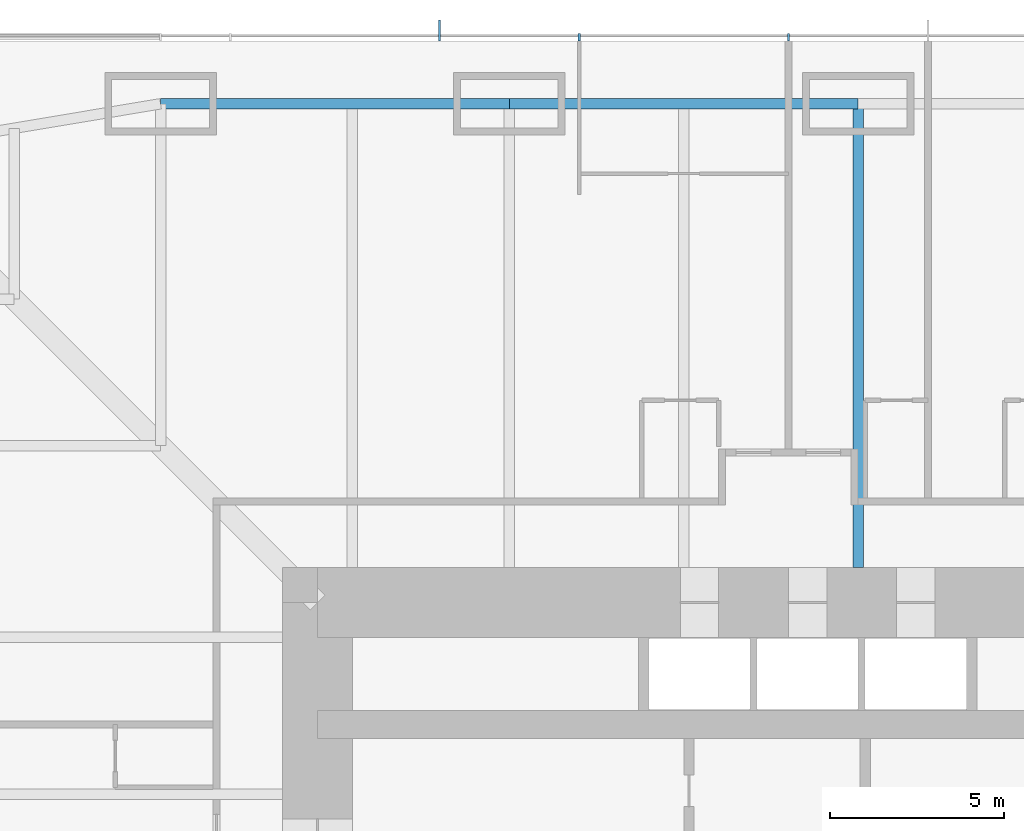
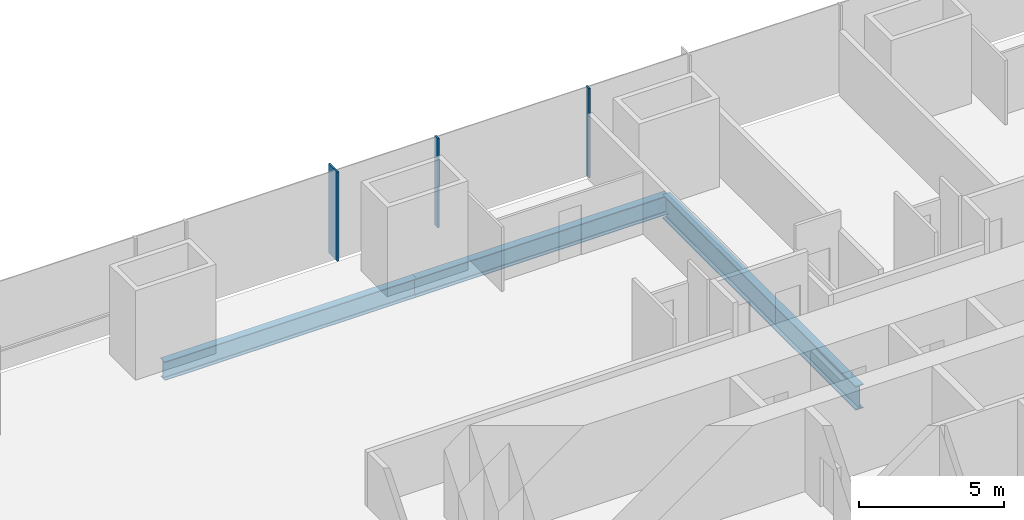
# One storey, part 7 of 17: 3 beams, 3 members, 1 element without a shape of its own.
"""IFC4 building model written with IfcOpenShell, lengths in metres."""

from ifc_helpers import new_model, si_unit, direction, frame, origin, origin_2d, place, context, subcontext, project, spatial, rectangle, i_section, extrude, material, material_profile, profile_set, type_object, element, aggregate, save


model = new_model("IFC4")

# Units and contexts
model_context = context("Model", 3, precision=1e-05, world=origin(), true_north=direction((0.0, 1.0)))
body_context = subcontext(model_context, "Body", "Model", "MODEL_VIEW")
ifc_project = project(units=[si_unit("LENGTHUNIT", "METRE"), si_unit("AREAUNIT", "SQUARE_METRE"), si_unit("VOLUMEUNIT", "CUBIC_METRE"), si_unit("PLANEANGLEUNIT", "RADIAN"), si_unit("MASSUNIT", "GRAM", prefix="KILO")], contexts=[model_context])

# Site, building, storey
site_placement = place(None, origin())
site = spatial("IfcSite", under=ifc_project, at=site_placement, CompositionType="ELEMENT")
building_placement = place(site_placement, origin())
building = spatial("IfcBuilding", under=site, at=building_placement, Name="Khuree Lantern Residences", CompositionType="ELEMENT")
storey_placement = place(building_placement, frame((0.0, 0.0, 47.25)))
storey = spatial("IfcBuildingStorey", under=building, at=storey_placement, Name="L11", CompositionType="ELEMENT", Elevation=47.25)

# Beams
ifc_material_1 = material(Name="Steel S355", Category="steel")
ifc_material_profile_1 = material_profile(ifc_material_1, i_section(OverallWidth=0.300048828125, OverallDepth=0.7900390625, WebThickness=0.014892578125, FlangeThickness=0.028076171875, FilletRadius=0.030029296875, at=origin_2d()), Name="HE 800 A")
ifc_profile_set_1 = profile_set([ifc_material_profile_1], Name="Steel S355")
beam_type_1 = type_object("IfcBeamType", Name="E-12 SPANDREL BEAM HE 800 A", PredefinedType="SPANDREL", material=ifc_profile_set_1)
for number, where, z_axis, x_axis, name in (
    (1, (-20.0, 29.800048828125, -0.64501953125), (1.0, 0.0, 0.0), (0.0, 1.0, 0.0), "Spandrel beam N1"),
    (2, (-10.0, 29.800048828125, -0.64501953125), (1.0, 0.0, 0.0), (0.0, 1.0, 0.0), "Spandrel beam N2"),
):
    element("IfcBeam", number, at=place(storey_placement, frame(where, z_axis=z_axis, x_axis=x_axis)), inside=storey, type_object=beam_type_1, Name=name, PredefinedType="SPANDREL", context=body_context, shape_type="SweptSolid", body=[
        extrude(i_section(OverallWidth=0.300048828125, OverallDepth=0.7900390625, WebThickness=0.014892578125, FlangeThickness=0.028076171875, FilletRadius=0.030029296875, at=origin_2d()), origin(), (0.0, 0.0, 1.0), 10.0),
    ])

# Curtain wall, member
ifc_material_2 = material(Name="Bronze anodised aluminium", Category="aluminium")
curtain_wall_type = type_object("IfcCurtainWallType", Name="CW-T1 TOWER FACE CURTAIN WALL", PredefinedType="USERDEFINED", material=ifc_material_2)
curtain_wall_placement = place(storey_placement, origin())
curtain_wall = element("IfcCurtainWall", 3, at=curtain_wall_placement, inside=storey, type_object=curtain_wall_type, Name="L11 NORTH FACE CURTAIN WALL", ObjectType="Stick-built curtain wall", PredefinedType="USERDEFINED")
ifc_material_profile_2 = material_profile(ifc_material_2, rectangle(XDim=0.06494140625, YDim=0.60009765625, at=origin_2d()), Name="F1 65X600")
ifc_profile_set_2 = profile_set([ifc_material_profile_2], Name="Bronze anodised aluminium")
member_type_1 = type_object("IfcMemberType", Name="F1 BRONZE FIN MULLION TOWER 65X600", PredefinedType="MULLION", material=ifc_profile_set_2)
member_1_placement = place(storey_placement, frame((-12.0, 31.89990234375, 0.0), z_axis=(0.0, 0.0, 1.0), x_axis=(-1.0, 0.0, 0.0)))
member_1 = element("IfcMember", 4, at=member_1_placement, type_object=member_type_1, Name="L11 NORTH FACE FIN MULLION 26", PredefinedType="MULLION", context=body_context, shape_type="SweptSolid", body=[
    extrude(rectangle(XDim=0.06494140625, YDim=0.60009765625, at=origin_2d()), origin(), (0.0, 0.0, 1.0), 3.75),
])

# Beam
ifc_material_profile_3 = material_profile(ifc_material_1, i_section(OverallWidth=0.302001953125, OverallDepth=1.008056640625, WebThickness=0.02099609375, FlangeThickness=0.0400390625, FilletRadius=0.030029296875, at=origin_2d()), Name="HE 1000 M")
ifc_profile_set_3 = profile_set([ifc_material_profile_3], Name="Steel S355")
beam_type_2 = type_object("IfcBeamType", Name="G-12 GIRDER HE 1000 M", PredefinedType="BEAM", material=ifc_profile_set_3)
beam_placement = place(storey_placement, frame((0.0, 29.800048828125, -0.75390625), z_axis=(0.0, -1.0, 0.0), x_axis=(1.0, 0.0, 0.0)))
element("IfcBeam", 5, at=beam_placement, inside=storey, type_object=beam_type_2, Name="Girder N3", PredefinedType="BEAM", context=body_context, shape_type="SweptSolid", body=[
    extrude(i_section(OverallWidth=0.302001953125, OverallDepth=1.008056640625, WebThickness=0.02099609375, FlangeThickness=0.0400390625, FilletRadius=0.030029296875, at=origin_2d()), origin(), (0.0, 0.0, 1.0), 13.300048828125),
])

# Member
ifc_material_profile_4 = material_profile(ifc_material_2, rectangle(XDim=0.06494140625, YDim=0.219970703125, at=origin_2d()), Name="M1 65X220")
ifc_profile_set_4 = profile_set([ifc_material_profile_4], Name="Bronze anodised aluminium")
member_type_2 = type_object("IfcMemberType", Name="M1 BRONZE MULLION TOWER 65X220", PredefinedType="MULLION", material=ifc_profile_set_4)
member_2_placement = place(storey_placement, frame((-2.0, 31.7099609375, 0.0), z_axis=(0.0, 0.0, 1.0), x_axis=(-1.0, 0.0, 0.0)))
member_2 = element("IfcMember", 6, at=member_2_placement, type_object=member_type_2, Name="L11 NORTH FACE MULLION 24", PredefinedType="MULLION", context=body_context, shape_type="SweptSolid", body=[
    extrude(rectangle(XDim=0.06494140625, YDim=0.219970703125, at=origin_2d()), origin(), (0.0, 0.0, 1.0), 3.75),
])

member_3_placement = place(storey_placement, frame((-8.0, 31.7099609375, 0.0), z_axis=(0.0, 0.0, 1.0), x_axis=(-1.0, 0.0, 0.0)))
member_3 = element("IfcMember", 7, at=member_3_placement, type_object=member_type_2, Name="L11 NORTH FACE MULLION 25", PredefinedType="MULLION", context=body_context, shape_type="SweptSolid", body=[
    extrude(rectangle(XDim=0.06494140625, YDim=0.219970703125, at=origin_2d()), origin(), (0.0, 0.0, 1.0), 3.75),
])

aggregate(curtain_wall, [member_2, member_3, member_1])

save(model, "model.ifc")
